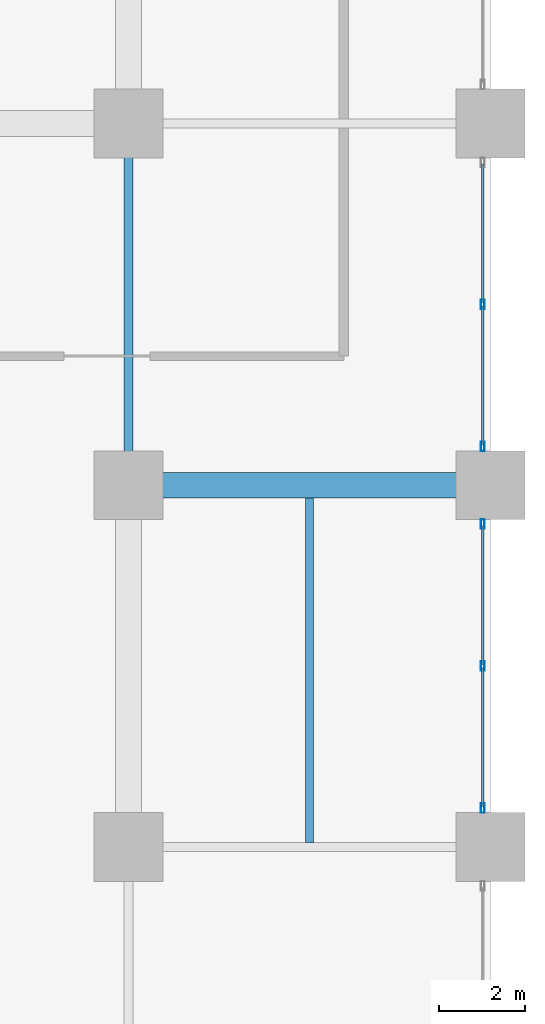
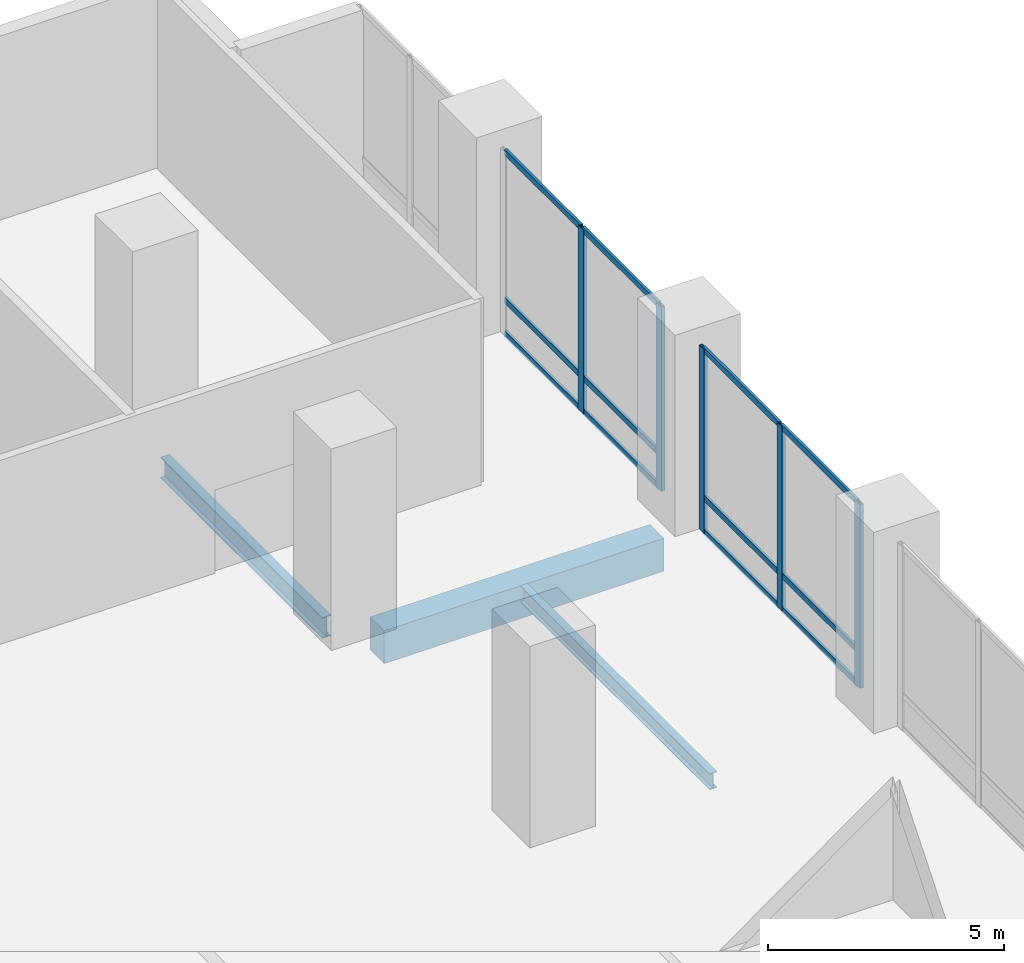
# One storey, part 5 of 23: 17 members, 3 beams, 2 elements without a shape of their own.
"""IFC4 building model written with IfcOpenShell, lengths in metres."""

from ifc_helpers import new_model, si_unit, direction, frame, origin, origin_2d, place, context, subcontext, project, spatial, rectangle, hollow_rectangle, i_section, extrude, material, layer, layer_set, material_profile, profile_set, type_object, element, aggregate, save


model = new_model("IFC4")

# Units and contexts
model_context = context("Model", 3, precision=1e-05, world=origin(), true_north=direction((0.0, 1.0)))
body_context = subcontext(model_context, "Body", "Model", "MODEL_VIEW")
ifc_project = project(units=[si_unit("LENGTHUNIT", "METRE"), si_unit("AREAUNIT", "SQUARE_METRE"), si_unit("VOLUMEUNIT", "CUBIC_METRE"), si_unit("PLANEANGLEUNIT", "RADIAN"), si_unit("MASSUNIT", "GRAM", prefix="KILO")], contexts=[model_context])

# Site, building, storey
site_placement = place(None, origin())
site = spatial("IfcSite", under=ifc_project, at=site_placement, CompositionType="ELEMENT")
building_placement = place(site_placement, origin())
building = spatial("IfcBuilding", under=site, at=building_placement, Name="Koriwani Terraces Tower", CompositionType="ELEMENT")
storey_placement = place(building_placement, frame((0.0, 0.0, 20.800048828125)))
storey = spatial("IfcBuildingStorey", under=building, at=storey_placement, Name="L04", CompositionType="ELEMENT", Elevation=20.800048828125)

# Beam
ifc_material_1 = material(Name="Concrete C60/75", Category="concrete")
ifc_material_profile_1 = material_profile(ifc_material_1, rectangle(XDim=0.60009765625, YDim=0.85009765625, at=origin_2d()), Name="Concrete C60/75", Category="LoadBearing")
ifc_profile_set_1 = profile_set([ifc_material_profile_1], Name="Concrete C60/75")
beam_type_1 = type_object("IfcBeamType", Name="BEAM_RC_GRID_600X850", PredefinedType="BEAM", material=ifc_profile_set_1)
beam_1_placement = place(storey_placement, frame((84.780029296875, 25.199951171875, -0.775146484375), z_axis=(1.0, 0.0, 0.0), x_axis=(0.0, 1.0, 0.0)))
element("IfcBeam", 1, at=beam_1_placement, inside=storey, type_object=beam_type_1, Name="L04 Grid Beam D (84.0-92.4m)", PredefinedType="BEAM", context=body_context, shape_type="SweptSolid", body=[
    extrude(rectangle(XDim=0.60009765625, YDim=0.85009765625, at=origin_2d()), origin(), (0.0, 0.0, 1.0), 6.840087890625),
])

# Curtain wall, members
ifc_material_2 = material(Name="Anodised Bronze Aluminium", Category="aluminium")
ifc_layer = layer(ifc_material_2, 0.199951171875, Name="Anodised Bronze Aluminium")
ifc_layer_set = layer_set([ifc_layer], Name="Anodised Bronze Aluminium")
curtain_wall_type = type_object("IfcCurtainWallType", Name="CW_PODIUM_GALLERIA", PredefinedType="NOTDEFINED", material=ifc_layer_set)
curtain_wall_1_placement = place(storey_placement, origin())
curtain_wall_1 = element("IfcCurtainWall", 2, at=curtain_wall_1_placement, inside=storey, type_object=curtain_wall_type, Name="L04 Unitised Curtain Wall (E_TIP) Bay 2", PredefinedType="NOTDEFINED")
ifc_material_profile_2 = material_profile(ifc_material_2, hollow_rectangle(XDim=0.0849609375, YDim=0.219970703125, WallThickness=0.008056640625, at=origin_2d()), Name="Anodised Bronze Aluminium", Category="LoadBearing")
ifc_profile_set_2 = profile_set([ifc_material_profile_2], Name="Anodised Bronze Aluminium")
member_type_1 = type_object("IfcMemberType", Name="CW_MULLION_220X85", PredefinedType="MULLION", material=ifc_profile_set_2)
member_1_placement = place(storey_placement, frame((92.22509765625, 29.39990234375, 0.0), z_axis=(0.0, 0.0, 1.0), x_axis=(1.0, 0.0, 0.0)))
member_1 = element("IfcMember", 3, at=member_1_placement, type_object=member_type_1, Name="CW-POD mullion 2", PredefinedType="MULLION", context=body_context, shape_type="SweptSolid", body=[
    extrude(hollow_rectangle(XDim=0.0849609375, YDim=0.219970703125, WallThickness=0.008056640625, at=origin_2d()), origin(), (0.0, 0.0, 1.0), 4.75),
])
member_2_placement = place(storey_placement, frame((92.22509765625, 26.1025390625, 0.0), z_axis=(0.0, 0.0, 1.0), x_axis=(1.0, 0.0, 0.0)))
member_2 = element("IfcMember", 4, at=member_2_placement, type_object=member_type_1, Name="CW-POD mullion 3", PredefinedType="MULLION", context=body_context, shape_type="SweptSolid", body=[
    extrude(hollow_rectangle(XDim=0.0849609375, YDim=0.219970703125, WallThickness=0.008056640625, at=origin_2d()), origin(), (0.0, 0.0, 1.0), 4.75),
])

curtain_wall_2_placement = place(storey_placement, origin())
curtain_wall_2 = element("IfcCurtainWall", 5, at=curtain_wall_2_placement, inside=storey, type_object=curtain_wall_type, Name="L04 Unitised Curtain Wall (E_TIP) Bay 3", PredefinedType="NOTDEFINED")
member_3_placement = place(storey_placement, frame((92.22509765625, 24.297607421875, 0.0), z_axis=(0.0, 0.0, 1.0), x_axis=(1.0, 0.0, 0.0)))
member_3 = element("IfcMember", 6, at=member_3_placement, type_object=member_type_1, Name="CW-POD mullion 1", PredefinedType="MULLION", context=body_context, shape_type="SweptSolid", body=[
    extrude(hollow_rectangle(XDim=0.0849609375, YDim=0.219970703125, WallThickness=0.008056640625, at=origin_2d()), origin(), (0.0, 0.0, 1.0), 4.75),
])
member_4_placement = place(storey_placement, frame((92.22509765625, 21.0, 0.0), z_axis=(0.0, 0.0, 1.0), x_axis=(1.0, 0.0, 0.0)))
member_4 = element("IfcMember", 7, at=member_4_placement, type_object=member_type_1, Name="CW-POD mullion 2", PredefinedType="MULLION", context=body_context, shape_type="SweptSolid", body=[
    extrude(hollow_rectangle(XDim=0.0849609375, YDim=0.219970703125, WallThickness=0.008056640625, at=origin_2d()), origin(), (0.0, 0.0, 1.0), 4.75),
])
member_5_placement = place(storey_placement, frame((92.22509765625, 17.702392578125, 0.0), z_axis=(0.0, 0.0, 1.0), x_axis=(1.0, 0.0, 0.0)))
member_5 = element("IfcMember", 8, at=member_5_placement, type_object=member_type_1, Name="CW-POD mullion 3", PredefinedType="MULLION", context=body_context, shape_type="SweptSolid", body=[
    extrude(hollow_rectangle(XDim=0.0849609375, YDim=0.219970703125, WallThickness=0.008056640625, at=origin_2d()), origin(), (0.0, 0.0, 1.0), 4.75),
])

# Member
ifc_material_profile_3 = material_profile(ifc_material_2, hollow_rectangle(XDim=0.06494140625, YDim=0.14990234375, WallThickness=0.0048828125, at=origin_2d()), Name="Anodised Bronze Aluminium", Category="LoadBearing")
ifc_profile_set_3 = profile_set([ifc_material_profile_3], Name="Anodised Bronze Aluminium")
member_type_2 = type_object("IfcMemberType", Name="CW_TRANSOM_150X65", PredefinedType="USERDEFINED", material=ifc_profile_set_3)
member_6_placement = place(storey_placement, frame((92.22509765625, 32.655029296875, 0.032470703125), z_axis=(0.0, -1.0, 0.0), x_axis=(1.0, 0.0, 0.0)))
member_6 = element("IfcMember", 9, at=member_6_placement, type_object=member_type_2, Name="CW-POD transom 1.1", ObjectType="TRANSOM", PredefinedType="USERDEFINED", context=body_context, shape_type="SweptSolid", body=[
    extrude(hollow_rectangle(XDim=0.06494140625, YDim=0.14990234375, WallThickness=0.0048828125, at=origin_2d()), origin(), (0.0, 0.0, 1.0), 3.212646484375),
])

member_7_placement = place(storey_placement, frame((92.22509765625, 32.655029296875, 0.89990234375), z_axis=(0.0, -1.0, 0.0), x_axis=(1.0, 0.0, 0.0)))
member_7 = element("IfcMember", 10, at=member_7_placement, type_object=member_type_2, Name="CW-POD transom 1.2", ObjectType="TRANSOM", PredefinedType="USERDEFINED", context=body_context, shape_type="SweptSolid", body=[
    extrude(hollow_rectangle(XDim=0.06494140625, YDim=0.14990234375, WallThickness=0.0048828125, at=origin_2d()), origin(), (0.0, 0.0, 1.0), 3.212646484375),
])

member_8_placement = place(storey_placement, frame((92.22509765625, 32.655029296875, 4.717529296875), z_axis=(0.0, -1.0, 0.0), x_axis=(1.0, 0.0, 0.0)))
member_8 = element("IfcMember", 11, at=member_8_placement, type_object=member_type_2, Name="CW-POD transom 1.3", ObjectType="TRANSOM", PredefinedType="USERDEFINED", context=body_context, shape_type="SweptSolid", body=[
    extrude(hollow_rectangle(XDim=0.06494140625, YDim=0.14990234375, WallThickness=0.0048828125, at=origin_2d()), origin(), (0.0, 0.0, 1.0), 3.212646484375),
])

member_9_placement = place(storey_placement, frame((92.22509765625, 29.357421875, 0.032470703125), z_axis=(0.0, -1.0, 0.0), x_axis=(1.0, 0.0, 0.0)))
member_9 = element("IfcMember", 12, at=member_9_placement, type_object=member_type_2, Name="CW-POD transom 2.1", ObjectType="TRANSOM", PredefinedType="USERDEFINED", context=body_context, shape_type="SweptSolid", body=[
    extrude(hollow_rectangle(XDim=0.06494140625, YDim=0.14990234375, WallThickness=0.0048828125, at=origin_2d()), origin(), (0.0, 0.0, 1.0), 3.21240234375),
])

member_10_placement = place(storey_placement, frame((92.22509765625, 29.357421875, 0.89990234375), z_axis=(0.0, -1.0, 0.0), x_axis=(1.0, 0.0, 0.0)))
member_10 = element("IfcMember", 13, at=member_10_placement, type_object=member_type_2, Name="CW-POD transom 2.2", ObjectType="TRANSOM", PredefinedType="USERDEFINED", context=body_context, shape_type="SweptSolid", body=[
    extrude(hollow_rectangle(XDim=0.06494140625, YDim=0.14990234375, WallThickness=0.0048828125, at=origin_2d()), origin(), (0.0, 0.0, 1.0), 3.21240234375),
])

member_11_placement = place(storey_placement, frame((92.22509765625, 29.357421875, 4.717529296875), z_axis=(0.0, -1.0, 0.0), x_axis=(1.0, 0.0, 0.0)))
member_11 = element("IfcMember", 14, at=member_11_placement, type_object=member_type_2, Name="CW-POD transom 2.3", ObjectType="TRANSOM", PredefinedType="USERDEFINED", context=body_context, shape_type="SweptSolid", body=[
    extrude(hollow_rectangle(XDim=0.06494140625, YDim=0.14990234375, WallThickness=0.0048828125, at=origin_2d()), origin(), (0.0, 0.0, 1.0), 3.21240234375),
])

aggregate(curtain_wall_1, [member_1, member_2, member_6, member_7, member_8, member_9, member_10, member_11])

member_12_placement = place(storey_placement, frame((92.22509765625, 24.2548828125, 0.032470703125), z_axis=(0.0, -1.0, 0.0), x_axis=(1.0, 0.0, 0.0)))
member_12 = element("IfcMember", 15, at=member_12_placement, type_object=member_type_2, Name="CW-POD transom 1.1", ObjectType="TRANSOM", PredefinedType="USERDEFINED", context=body_context, shape_type="SweptSolid", body=[
    extrude(hollow_rectangle(XDim=0.06494140625, YDim=0.14990234375, WallThickness=0.0048828125, at=origin_2d()), origin(), (0.0, 0.0, 1.0), 3.21240234375),
])

member_13_placement = place(storey_placement, frame((92.22509765625, 24.2548828125, 0.89990234375), z_axis=(0.0, -1.0, 0.0), x_axis=(1.0, 0.0, 0.0)))
member_13 = element("IfcMember", 16, at=member_13_placement, type_object=member_type_2, Name="CW-POD transom 1.2", ObjectType="TRANSOM", PredefinedType="USERDEFINED", context=body_context, shape_type="SweptSolid", body=[
    extrude(hollow_rectangle(XDim=0.06494140625, YDim=0.14990234375, WallThickness=0.0048828125, at=origin_2d()), origin(), (0.0, 0.0, 1.0), 3.21240234375),
])

member_14_placement = place(storey_placement, frame((92.22509765625, 24.2548828125, 4.717529296875), z_axis=(0.0, -1.0, 0.0), x_axis=(1.0, 0.0, 0.0)))
member_14 = element("IfcMember", 17, at=member_14_placement, type_object=member_type_2, Name="CW-POD transom 1.3", ObjectType="TRANSOM", PredefinedType="USERDEFINED", context=body_context, shape_type="SweptSolid", body=[
    extrude(hollow_rectangle(XDim=0.06494140625, YDim=0.14990234375, WallThickness=0.0048828125, at=origin_2d()), origin(), (0.0, 0.0, 1.0), 3.21240234375),
])

member_15_placement = place(storey_placement, frame((92.22509765625, 20.95751953125, 0.032470703125), z_axis=(0.0, -1.0, 0.0), x_axis=(1.0, 0.0, 0.0)))
member_15 = element("IfcMember", 18, at=member_15_placement, type_object=member_type_2, Name="CW-POD transom 2.1", ObjectType="TRANSOM", PredefinedType="USERDEFINED", context=body_context, shape_type="SweptSolid", body=[
    extrude(hollow_rectangle(XDim=0.06494140625, YDim=0.14990234375, WallThickness=0.0048828125, at=origin_2d()), origin(), (0.0, 0.0, 1.0), 3.21240234375),
])

member_16_placement = place(storey_placement, frame((92.22509765625, 20.95751953125, 0.89990234375), z_axis=(0.0, -1.0, 0.0), x_axis=(1.0, 0.0, 0.0)))
member_16 = element("IfcMember", 19, at=member_16_placement, type_object=member_type_2, Name="CW-POD transom 2.2", ObjectType="TRANSOM", PredefinedType="USERDEFINED", context=body_context, shape_type="SweptSolid", body=[
    extrude(hollow_rectangle(XDim=0.06494140625, YDim=0.14990234375, WallThickness=0.0048828125, at=origin_2d()), origin(), (0.0, 0.0, 1.0), 3.21240234375),
])

member_17_placement = place(storey_placement, frame((92.22509765625, 20.95751953125, 4.717529296875), z_axis=(0.0, -1.0, 0.0), x_axis=(1.0, 0.0, 0.0)))
member_17 = element("IfcMember", 20, at=member_17_placement, type_object=member_type_2, Name="CW-POD transom 2.3", ObjectType="TRANSOM", PredefinedType="USERDEFINED", context=body_context, shape_type="SweptSolid", body=[
    extrude(hollow_rectangle(XDim=0.06494140625, YDim=0.14990234375, WallThickness=0.0048828125, at=origin_2d()), origin(), (0.0, 0.0, 1.0), 3.21240234375),
])

aggregate(curtain_wall_2, [member_3, member_4, member_5, member_12, member_13, member_14, member_15, member_16, member_17])

# Beams
ifc_material_3 = material(Name="Steel ASTM A572 Grade 50", Category="steel")
ifc_material_profile_4 = material_profile(ifc_material_3, i_section(OverallWidth=0.180908203125, OverallDepth=0.4169921875, WebThickness=0.010986328125, FlangeThickness=0.018310546875, at=origin_2d()), Name="Steel ASTM A572 Grade 50", Category="LoadBearing")
ifc_profile_set_4 = profile_set([ifc_material_profile_4], Name="Steel ASTM A572 Grade 50")
beam_type_2 = type_object("IfcBeamType", Name="STEEL_BEAM_W410X85", PredefinedType="JOIST", material=ifc_profile_set_4)
beam_2_placement = place(storey_placement, frame((88.199951171875, 16.89599609375, -0.55859375), z_axis=(0.0, 1.0, 0.0), x_axis=(-1.0, 0.0, 0.0)))
element("IfcBeam", 21, at=beam_2_placement, inside=storey, type_object=beam_type_2, Name="L04 Secondary Steel Floor Joist X=88.2m", PredefinedType="JOIST", context=body_context, shape_type="SweptSolid", body=[
    extrude(i_section(OverallWidth=0.180908203125, OverallDepth=0.4169921875, WebThickness=0.010986328125, FlangeThickness=0.018310546875, at=origin_2d()), origin(), (0.0, 0.0, 1.0), 8.013916015625),
])
ifc_material_profile_5 = material_profile(ifc_material_3, i_section(OverallWidth=0.2119140625, OverallDepth=0.54296875, WebThickness=0.0126953125, FlangeThickness=0.021240234375, at=origin_2d()), Name="Steel ASTM A572 Grade 50", Category="LoadBearing")
ifc_profile_set_5 = profile_set([ifc_material_profile_5], Name="Steel ASTM A572 Grade 50")
beam_type_3 = type_object("IfcBeamType", Name="STEEL_BEAM_W530X150", PredefinedType="BEAM", material=ifc_profile_set_5)
beam_3_placement = place(storey_placement, frame((84.0, 25.97998046875, -0.62158203125), z_axis=(0.0, 1.0, 0.0), x_axis=(-1.0, 0.0, 0.0)))
element("IfcBeam", 22, at=beam_3_placement, inside=storey, type_object=beam_type_3, Name="L04 Grid Beam 11 (25.2-33.6m)", PredefinedType="BEAM", context=body_context, shape_type="SweptSolid", body=[
    extrude(i_section(OverallWidth=0.2119140625, OverallDepth=0.54296875, WebThickness=0.0126953125, FlangeThickness=0.021240234375, at=origin_2d()), origin(), (0.0, 0.0, 1.0), 6.840087890625),
])

save(model, "model.ifc")
